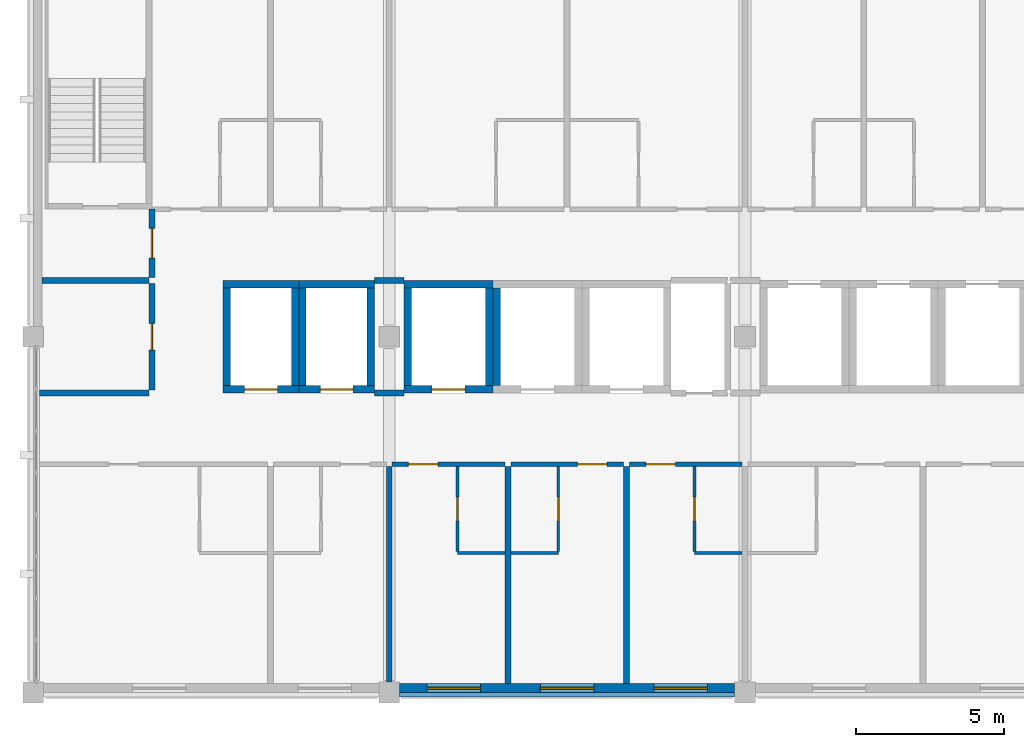
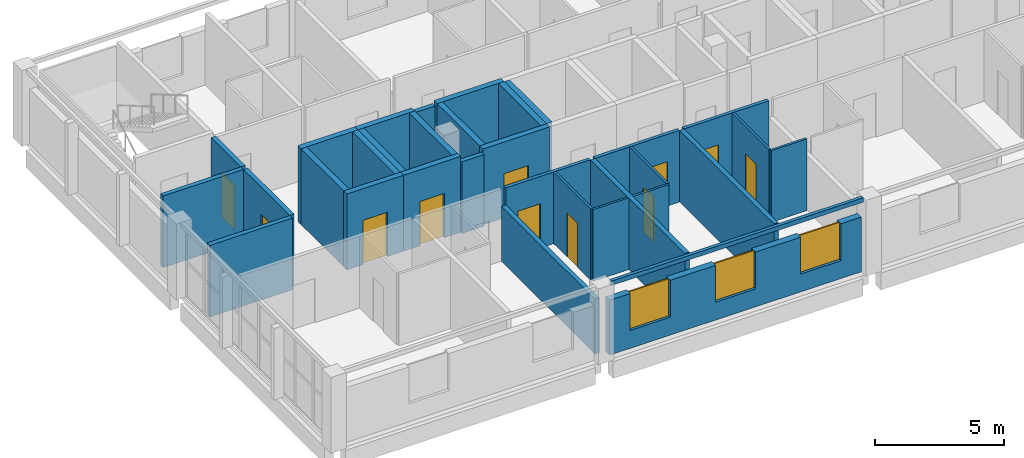
# One storey, part 6 of 11: 33 walls, 11 doors, 3 windows, 14 openings.
"""IFC4 building model written with IfcOpenShell, lengths in metres."""

from ifc_helpers import new_model, si_unit, direction, frame, frame_2d, origin, place, context, subcontext, project, spatial, rectangle, extrude, material, layer, layer_set, type_object, element, fill, save


model = new_model("IFC4")

# Units and contexts
model_context = context("Model", 3, precision=1e-05, world=origin(), true_north=direction((0.0, 1.0)))
body_context = subcontext(model_context, "Body", "Model", "MODEL_VIEW")
ifc_project = project(units=[si_unit("LENGTHUNIT", "METRE"), si_unit("AREAUNIT", "SQUARE_METRE"), si_unit("VOLUMEUNIT", "CUBIC_METRE"), si_unit("PLANEANGLEUNIT", "RADIAN"), si_unit("MASSUNIT", "GRAM", prefix="KILO")], contexts=[model_context])

# Site, building, storey
site_placement = place(None, origin())
site = spatial("IfcSite", under=ifc_project, at=site_placement, CompositionType="ELEMENT")
building_placement = place(site_placement, origin())
building = spatial("IfcBuilding", under=site, at=building_placement, Name="Lilac Gate Convention Centre", CompositionType="ELEMENT")
storey_placement = place(building_placement, frame((0.0, 0.0, 49.800048828125)))
storey = spatial("IfcBuildingStorey", under=building, at=storey_placement, Name="L12", CompositionType="ELEMENT", Elevation=49.800048828125)

# Wall, opening, door
ifc_material_1 = material(Name="Concrete C50", Category="concrete")
ifc_layer_1 = layer(ifc_material_1, 0.25)
ifc_layer_set_1 = layer_set([ifc_layer_1], Name="Concrete C50")
wall_type_1 = type_object("IfcWallType", Name="Core wall 250 C50", PredefinedType="SHEAR", material=ifc_layer_set_1)
wall_1_placement = place(storey_placement, frame((54.5, 232.22509765625, 0.0), z_axis=(0.0, 0.0, 1.0), x_axis=(1.0, 0.0, 0.0)))
wall_1 = element("IfcWall", 1, at=wall_1_placement, inside=storey, type_object=wall_type_1, Name="CRW4 core wall TC L12 1", PredefinedType="SHEAR", context=body_context, shape_type="SweptSolid", body=[
    extrude(rectangle(XDim=3.0, YDim=0.25, at=frame_2d((1.5, 0.0))), origin(), (0.0, 0.0, 1.0), 3.599853515625),
])
opening_1_placement = place(wall_1_placement, frame((0.949951171875, 0.0, 0.0)))
opening_1 = element("IfcOpeningElement", 2, at=opening_1_placement, cuts=wall_1, Name="Opening T10-042", PredefinedType="OPENING", context=body_context, shape_type="SweptSolid", body=[
    extrude(rectangle(XDim=1.10009765625, YDim=2.10009765625, at=frame_2d((0.550048828125, 1.050048828125))), frame((0.0, 0.135009765625, 0.0), z_axis=(0.0, -1.0, 0.0), x_axis=(1.0, 0.0, 0.0)), (0.0, 0.0, 1.0), 0.27001953125),
])
ifc_material_2 = material(Name="Stainless steel 304", Category="steel")
door_type_1 = type_object("IfcDoorType", Name="Lift landing door 1100", OperationType="SLIDING_TO_LEFT", PredefinedType="DOOR", material=ifc_material_2)
door_1_placement = place(opening_1_placement, origin())
door_1 = element("IfcDoor", 3, at=door_1_placement, inside=storey, type_object=door_type_1, Name="Lift landing door TP1 L12", OperationType="SLIDING_TO_LEFT", OverallHeight=2.10009765625, OverallWidth=1.10009765625, PredefinedType="DOOR", context=body_context, shape_type="SweptSolid", body=[
    extrude(rectangle(XDim=1.10009765625, YDim=2.10009765625, at=frame_2d((0.550048828125, 1.050048828125))), frame((0.0, 0.02490234375, 0.0), z_axis=(0.0, -1.0, 0.0), x_axis=(1.0, 0.0, 0.0)), (0.0, 0.0, 1.0), 0.050048828125),
])
fill(opening_1, door_1)

# Walls
wall_2_placement = place(storey_placement, frame((54.5, 235.77490234375, 0.0), z_axis=(0.0, 0.0, 1.0), x_axis=(1.0, 0.0, 0.0)))
element("IfcWall", 4, at=wall_2_placement, inside=storey, type_object=wall_type_1, Name="CRW4 core wall TC L12 2", PredefinedType="SHEAR", context=body_context, shape_type="SweptSolid", body=[
    extrude(rectangle(XDim=3.0, YDim=0.25, at=frame_2d((1.5, 0.0))), origin(), (0.0, 0.0, 1.0), 3.599853515625),
])
for number, where, z_axis, x_axis, name in (
    (5, (54.625, 232.35009765625, 0.0), (0.0, 0.0, 1.0), (0.0, 1.0, 0.0), "CRW4 core wall TC L12 3"),
    (6, (57.375, 232.35009765625, 0.0), (0.0, 0.0, 1.0), (0.0, 1.0, 0.0), "CRW4 core wall TC L12 4"),
    (7, (57.625, 232.35009765625, 0.0), (0.0, 0.0, 1.0), (0.0, 1.0, 0.0), "CRW4 core wall TC L12 7"),
):
    element("IfcWall", number, at=place(storey_placement, frame(where, z_axis=z_axis, x_axis=x_axis)), inside=storey, type_object=wall_type_1, Name=name, PredefinedType="SHEAR", context=body_context, shape_type="SweptSolid", body=[
        extrude(rectangle(XDim=3.2998046875, YDim=0.25, at=frame_2d((1.64990234375, 0.0))), origin(), (0.0, 0.0, 1.0), 3.599853515625),
    ])

# Wall, opening, door
wall_3_placement = place(storey_placement, frame((48.39990234375, 232.22509765625, 0.0), z_axis=(0.0, 0.0, 1.0), x_axis=(1.0, 0.0, 0.0)))
wall_3 = element("IfcWall", 8, at=wall_3_placement, inside=storey, type_object=wall_type_1, Name="CRW4 core wall TC L12 25", PredefinedType="SHEAR", context=body_context, shape_type="SweptSolid", body=[
    extrude(rectangle(XDim=2.550048828125, YDim=0.25, at=frame_2d((1.27490234375, 0.0))), origin(), (0.0, 0.0, 1.0), 3.599853515625),
])
opening_2_placement = place(wall_3_placement, frame((0.72509765625, 0.0, 0.0)))
opening_2 = element("IfcOpeningElement", 9, at=opening_2_placement, cuts=wall_3, Name="Opening T10-048", PredefinedType="OPENING", context=body_context, shape_type="SweptSolid", body=[
    extrude(rectangle(XDim=1.10009765625, YDim=2.10009765625, at=frame_2d((0.550048828125, 1.050048828125))), frame((0.0, 0.135009765625, 0.0), z_axis=(0.0, -1.0, 0.0), x_axis=(1.0, 0.0, 0.0)), (0.0, 0.0, 1.0), 0.27001953125),
])
door_2_placement = place(opening_2_placement, origin())
door_2 = element("IfcDoor", 10, at=door_2_placement, inside=storey, type_object=door_type_1, Name="Lift landing door TS1 L12", OperationType="SLIDING_TO_LEFT", OverallHeight=2.10009765625, OverallWidth=1.10009765625, PredefinedType="DOOR", context=body_context, shape_type="SweptSolid", body=[
    extrude(rectangle(XDim=1.10009765625, YDim=2.10009765625, at=frame_2d((0.550048828125, 1.050048828125))), frame((0.0, 0.02490234375, 0.0), z_axis=(0.0, -1.0, 0.0), x_axis=(1.0, 0.0, 0.0)), (0.0, 0.0, 1.0), 0.050048828125),
])
fill(opening_2, door_2)

# Walls
wall_4_placement = place(storey_placement, frame((48.39990234375, 235.77490234375, 0.0), z_axis=(0.0, 0.0, 1.0), x_axis=(1.0, 0.0, 0.0)))
element("IfcWall", 11, at=wall_4_placement, inside=storey, type_object=wall_type_1, Name="CRW4 core wall TC L12 26", PredefinedType="SHEAR", context=body_context, shape_type="SweptSolid", body=[
    extrude(rectangle(XDim=2.550048828125, YDim=0.25, at=frame_2d((1.27490234375, 0.0))), origin(), (0.0, 0.0, 1.0), 3.599853515625),
])
for number, where, z_axis, x_axis, name in (
    (12, (48.52490234375, 232.35009765625, 0.0), (0.0, 0.0, 1.0), (0.0, 1.0, 0.0), "CRW4 core wall TC L12 27"),
    (13, (50.824951171875, 232.35009765625, 0.0), (0.0, 0.0, 1.0), (0.0, 1.0, 0.0), "CRW4 core wall TC L12 28"),
):
    element("IfcWall", number, at=place(storey_placement, frame(where, z_axis=z_axis, x_axis=x_axis)), inside=storey, type_object=wall_type_1, Name=name, PredefinedType="SHEAR", context=body_context, shape_type="SweptSolid", body=[
        extrude(rectangle(XDim=3.2998046875, YDim=0.25, at=frame_2d((1.64990234375, 0.0))), origin(), (0.0, 0.0, 1.0), 3.599853515625),
    ])

# Wall, opening, door
wall_5_placement = place(storey_placement, frame((50.949951171875, 232.22509765625, 0.0), z_axis=(0.0, 0.0, 1.0), x_axis=(1.0, 0.0, 0.0)))
wall_5 = element("IfcWall", 14, at=wall_5_placement, inside=storey, type_object=wall_type_1, Name="CRW4 core wall TC L12 29", PredefinedType="SHEAR", context=body_context, shape_type="SweptSolid", body=[
    extrude(rectangle(XDim=2.550048828125, YDim=0.25, at=frame_2d((1.27490234375, 0.0))), origin(), (0.0, 0.0, 1.0), 3.599853515625),
])
opening_3_placement = place(wall_5_placement, frame((0.72509765625, 0.0, 0.0)))
opening_3 = element("IfcOpeningElement", 15, at=opening_3_placement, cuts=wall_5, Name="Opening T10-049", PredefinedType="OPENING", context=body_context, shape_type="SweptSolid", body=[
    extrude(rectangle(XDim=1.10009765625, YDim=2.10009765625, at=frame_2d((0.550048828125, 1.050048828125))), frame((0.0, 0.135009765625, 0.0), z_axis=(0.0, -1.0, 0.0), x_axis=(1.0, 0.0, 0.0)), (0.0, 0.0, 1.0), 0.27001953125),
])
door_3_placement = place(opening_3_placement, origin())
door_3 = element("IfcDoor", 16, at=door_3_placement, inside=storey, type_object=door_type_1, Name="Lift landing door TS2 L12", OperationType="SLIDING_TO_LEFT", OverallHeight=2.10009765625, OverallWidth=1.10009765625, PredefinedType="DOOR", context=body_context, shape_type="SweptSolid", body=[
    extrude(rectangle(XDim=1.10009765625, YDim=2.10009765625, at=frame_2d((0.550048828125, 1.050048828125))), frame((0.0, 0.02490234375, 0.0), z_axis=(0.0, -1.0, 0.0), x_axis=(1.0, 0.0, 0.0)), (0.0, 0.0, 1.0), 0.050048828125),
])
fill(opening_3, door_3)

# Walls
wall_6_placement = place(storey_placement, frame((50.949951171875, 235.77490234375, 0.0), z_axis=(0.0, 0.0, 1.0), x_axis=(1.0, 0.0, 0.0)))
element("IfcWall", 17, at=wall_6_placement, inside=storey, type_object=wall_type_1, Name="CRW4 core wall TC L12 30", PredefinedType="SHEAR", context=body_context, shape_type="SweptSolid", body=[
    extrude(rectangle(XDim=2.550048828125, YDim=0.25, at=frame_2d((1.27490234375, 0.0))), origin(), (0.0, 0.0, 1.0), 3.599853515625),
])
for number, where, z_axis, x_axis, name in (
    (18, (51.074951171875, 232.35009765625, 0.0), (0.0, 0.0, 1.0), (0.0, 1.0, 0.0), "CRW4 core wall TC L12 31"),
    (19, (53.375, 232.35009765625, 0.0), (0.0, 0.0, 1.0), (0.0, 1.0, 0.0), "CRW4 core wall TC L12 32"),
):
    element("IfcWall", number, at=place(storey_placement, frame(where, z_axis=z_axis, x_axis=x_axis)), inside=storey, type_object=wall_type_1, Name=name, PredefinedType="SHEAR", context=body_context, shape_type="SweptSolid", body=[
        extrude(rectangle(XDim=3.2998046875, YDim=0.25, at=frame_2d((1.64990234375, 0.0))), origin(), (0.0, 0.0, 1.0), 3.599853515625),
    ])

# Wall, opening, door
ifc_material_3 = material(Name="Gypsum board on steel stud", Category="steel")
ifc_layer_2 = layer(ifc_material_3, 0.14990234375)
ifc_layer_set_2 = layer_set([ifc_layer_2], Name="Gypsum board on steel stud")
wall_type_2 = type_object("IfcWallType", Name="Corridor wall 150", PredefinedType="PARTITIONING", material=ifc_layer_set_2)
wall_7_placement = place(storey_placement, frame((57.89990234375, 229.699951171875, 0.0), z_axis=(0.0, 0.0, 1.0), x_axis=(-1.0, 0.0, 0.0)))
wall_7 = element("IfcWall", 20, at=wall_7_placement, inside=storey, type_object=wall_type_2, Name="Corridor wall 150 front 1203", PredefinedType="PARTITIONING", context=body_context, shape_type="SweptSolid", body=[
    extrude(rectangle(XDim=3.7998046875, YDim=0.14990234375, at=frame_2d((1.89990234375, 0.0))), origin(), (0.0, 0.0, 1.0), 3.39990234375),
])
opening_4_placement = place(wall_7_placement, frame((2.25, 0.0, 0.0)))
opening_4 = element("IfcOpeningElement", 21, at=opening_4_placement, cuts=wall_7, Name="Opening T10-012", PredefinedType="OPENING", context=body_context, shape_type="SweptSolid", body=[
    extrude(rectangle(XDim=1.0, YDim=2.10009765625, at=frame_2d((0.5, 1.050048828125))), frame((0.0, 0.0849609375, 0.0), z_axis=(0.0, -1.0, 0.0), x_axis=(1.0, 0.0, 0.0)), (0.0, 0.0, 1.0), 0.169921875),
])
ifc_material_4 = material(Name="Timber", Category="wood")
door_type_2 = type_object("IfcDoorType", Name="Guest room entrance door 1000", OperationType="SINGLE_SWING_LEFT", PredefinedType="DOOR", material=ifc_material_4)
door_4_placement = place(opening_4_placement, origin())
door_4 = element("IfcDoor", 22, at=door_4_placement, inside=storey, type_object=door_type_2, Name="Guest room door 1203", OperationType="SINGLE_SWING_RIGHT", OverallHeight=2.10009765625, OverallWidth=1.0, PredefinedType="DOOR", context=body_context, shape_type="SweptSolid", body=[
    extrude(rectangle(XDim=1.0, YDim=2.10009765625, at=frame_2d((0.5, 1.050048828125))), frame((0.0, 0.02490234375, 0.0), z_axis=(0.0, -1.0, 0.0), x_axis=(1.0, 0.0, 0.0)), (0.0, 0.0, 1.0), 0.050048828125),
])
fill(opening_4, door_4)

wall_8_placement = place(storey_placement, frame((61.89990234375, 229.699951171875, 0.0), z_axis=(0.0, 0.0, 1.0), x_axis=(-1.0, 0.0, 0.0)))
wall_8 = element("IfcWall", 23, at=wall_8_placement, inside=storey, type_object=wall_type_2, Name="Corridor wall 150 front 1204", PredefinedType="PARTITIONING", context=body_context, shape_type="SweptSolid", body=[
    extrude(rectangle(XDim=3.7998046875, YDim=0.14990234375, at=frame_2d((1.89990234375, 0.0))), origin(), (0.0, 0.0, 1.0), 3.39990234375),
])
opening_5_placement = place(wall_8_placement, frame((0.550048828125, 0.0, 0.0)))
opening_5 = element("IfcOpeningElement", 24, at=opening_5_placement, cuts=wall_8, Name="Opening T10-014", PredefinedType="OPENING", context=body_context, shape_type="SweptSolid", body=[
    extrude(rectangle(XDim=1.0, YDim=2.10009765625, at=frame_2d((0.5, 1.050048828125))), frame((0.0, 0.0849609375, 0.0), z_axis=(0.0, -1.0, 0.0), x_axis=(1.0, 0.0, 0.0)), (0.0, 0.0, 1.0), 0.169921875),
])
door_5_placement = place(opening_5_placement, origin())
door_5 = element("IfcDoor", 25, at=door_5_placement, inside=storey, type_object=door_type_2, Name="Guest room door 1204", OperationType="SINGLE_SWING_LEFT", OverallHeight=2.10009765625, OverallWidth=1.0, PredefinedType="DOOR", context=body_context, shape_type="SweptSolid", body=[
    extrude(rectangle(XDim=1.0, YDim=2.10009765625, at=frame_2d((0.5, 1.050048828125))), frame((0.0, 0.02490234375, 0.0), z_axis=(0.0, -1.0, 0.0), x_axis=(1.0, 0.0, 0.0)), (0.0, 0.0, 1.0), 0.050048828125),
])
fill(opening_5, door_5)

wall_9_placement = place(storey_placement, frame((65.89990234375, 229.699951171875, 0.0), z_axis=(0.0, 0.0, 1.0), x_axis=(-1.0, 0.0, 0.0)))
wall_9 = element("IfcWall", 26, at=wall_9_placement, inside=storey, type_object=wall_type_2, Name="Corridor wall 150 front 1205", PredefinedType="PARTITIONING", context=body_context, shape_type="SweptSolid", body=[
    extrude(rectangle(XDim=3.7998046875, YDim=0.14990234375, at=frame_2d((1.89990234375, 0.0))), origin(), (0.0, 0.0, 1.0), 3.39990234375),
])
opening_6_placement = place(wall_9_placement, frame((2.25, 0.0, 0.0)))
opening_6 = element("IfcOpeningElement", 27, at=opening_6_placement, cuts=wall_9, Name="Opening T10-016", PredefinedType="OPENING", context=body_context, shape_type="SweptSolid", body=[
    extrude(rectangle(XDim=1.0, YDim=2.10009765625, at=frame_2d((0.5, 1.050048828125))), frame((0.0, 0.0849609375, 0.0), z_axis=(0.0, -1.0, 0.0), x_axis=(1.0, 0.0, 0.0)), (0.0, 0.0, 1.0), 0.169921875),
])
door_6_placement = place(opening_6_placement, origin())
door_6 = element("IfcDoor", 28, at=door_6_placement, inside=storey, type_object=door_type_2, Name="Guest room door 1205", OperationType="SINGLE_SWING_LEFT", OverallHeight=2.10009765625, OverallWidth=1.0, PredefinedType="DOOR", context=body_context, shape_type="SweptSolid", body=[
    extrude(rectangle(XDim=1.0, YDim=2.10009765625, at=frame_2d((0.5, 1.050048828125))), frame((0.0, 0.02490234375, 0.0), z_axis=(0.0, -1.0, 0.0), x_axis=(1.0, 0.0, 0.0)), (0.0, 0.0, 1.0), 0.050048828125),
])
fill(opening_6, door_6)

# Wall
ifc_layer_3 = layer(ifc_material_3, 0.10009765625)
ifc_layer_set_3 = layer_set([ifc_layer_3], Name="Gypsum board on steel stud")
wall_type_3 = type_object("IfcWallType", Name="En-suite wall 100", PredefinedType="PARTITIONING", material=ifc_layer_set_3)
wall_10_placement = place(storey_placement, frame((56.300048828125, 226.699951171875, 0.0), z_axis=(0.0, 0.0, 1.0), x_axis=(1.0, 0.0, 0.0)))
element("IfcWall", 29, at=wall_10_placement, inside=storey, type_object=wall_type_3, Name="En-suite wall 100 bath 1203", PredefinedType="PARTITIONING", context=body_context, shape_type="SweptSolid", body=[
    extrude(rectangle(XDim=1.599853515625, YDim=0.10009765625, at=frame_2d((0.7998046875, 0.0))), origin(), (0.0, 0.0, 1.0), 3.39990234375),
])

# Wall, opening, door
wall_11_placement = place(storey_placement, frame((56.300048828125, 226.75, 0.0), z_axis=(0.0, 0.0, 1.0), x_axis=(0.0, 1.0, 0.0)))
wall_11 = element("IfcWall", 30, at=wall_11_placement, inside=storey, type_object=wall_type_3, Name="En-suite wall 100 bath side 1203", PredefinedType="PARTITIONING", context=body_context, shape_type="SweptSolid", body=[
    extrude(rectangle(XDim=2.875, YDim=0.10009765625, at=frame_2d((1.4375, 0.0))), origin(), (0.0, 0.0, 1.0), 3.39990234375),
])
opening_7_placement = place(wall_11_placement, frame((1.03759765625, 0.0, 0.0)))
opening_7 = element("IfcOpeningElement", 31, at=opening_7_placement, cuts=wall_11, Name="Opening T10-013", PredefinedType="OPENING", context=body_context, shape_type="SweptSolid", body=[
    extrude(rectangle(XDim=0.800048828125, YDim=2.10009765625, at=frame_2d((0.39990234375, 1.050048828125))), frame((0.0, 0.06005859375, 0.0), z_axis=(0.0, -1.0, 0.0), x_axis=(1.0, 0.0, 0.0)), (0.0, 0.0, 1.0), 0.1201171875),
])
door_type_3 = type_object("IfcDoorType", Name="En-suite door 800", OperationType="SINGLE_SWING_LEFT", PredefinedType="DOOR", material=ifc_material_4)
door_7_placement = place(opening_7_placement, origin())
door_7 = element("IfcDoor", 32, at=door_7_placement, inside=storey, type_object=door_type_3, Name="En-suite door 1203", OperationType="SINGLE_SWING_RIGHT", OverallHeight=2.10009765625, OverallWidth=0.800048828125, PredefinedType="DOOR", context=body_context, shape_type="SweptSolid", body=[
    extrude(rectangle(XDim=0.800048828125, YDim=2.10009765625, at=frame_2d((0.39990234375, 1.050048828125))), frame((0.0, 0.02490234375, 0.0), z_axis=(0.0, -1.0, 0.0), x_axis=(1.0, 0.0, 0.0)), (0.0, 0.0, 1.0), 0.050048828125),
])
fill(opening_7, door_7)

# Wall
wall_12_placement = place(storey_placement, frame((58.10009765625, 226.699951171875, 0.0), z_axis=(0.0, 0.0, 1.0), x_axis=(1.0, 0.0, 0.0)))
element("IfcWall", 33, at=wall_12_placement, inside=storey, type_object=wall_type_3, Name="En-suite wall 100 bath 1204", PredefinedType="PARTITIONING", context=body_context, shape_type="SweptSolid", body=[
    extrude(rectangle(XDim=1.599853515625, YDim=0.10009765625, at=frame_2d((0.7998046875, 0.0))), origin(), (0.0, 0.0, 1.0), 3.39990234375),
])

# Wall, opening, door
wall_13_placement = place(storey_placement, frame((59.699951171875, 229.625, 0.0), z_axis=(0.0, 0.0, 1.0), x_axis=(0.0, -1.0, 0.0)))
wall_13 = element("IfcWall", 34, at=wall_13_placement, inside=storey, type_object=wall_type_3, Name="En-suite wall 100 bath side 1204", PredefinedType="PARTITIONING", context=body_context, shape_type="SweptSolid", body=[
    extrude(rectangle(XDim=2.875, YDim=0.10009765625, at=frame_2d((1.4375, 0.0))), origin(), (0.0, 0.0, 1.0), 3.39990234375),
])
opening_8_placement = place(wall_13_placement, frame((1.03759765625, 0.0, 0.0)))
opening_8 = element("IfcOpeningElement", 35, at=opening_8_placement, cuts=wall_13, Name="Opening T10-015", PredefinedType="OPENING", context=body_context, shape_type="SweptSolid", body=[
    extrude(rectangle(XDim=0.800048828125, YDim=2.10009765625, at=frame_2d((0.39990234375, 1.050048828125))), frame((0.0, 0.06005859375, 0.0), z_axis=(0.0, -1.0, 0.0), x_axis=(1.0, 0.0, 0.0)), (0.0, 0.0, 1.0), 0.1201171875),
])
door_8_placement = place(opening_8_placement, origin())
door_8 = element("IfcDoor", 36, at=door_8_placement, inside=storey, type_object=door_type_3, Name="En-suite door 1204", OperationType="SINGLE_SWING_LEFT", OverallHeight=2.10009765625, OverallWidth=0.800048828125, PredefinedType="DOOR", context=body_context, shape_type="SweptSolid", body=[
    extrude(rectangle(XDim=0.800048828125, YDim=2.10009765625, at=frame_2d((0.39990234375, 1.050048828125))), frame((0.0, 0.02490234375, 0.0), z_axis=(0.0, -1.0, 0.0), x_axis=(1.0, 0.0, 0.0)), (0.0, 0.0, 1.0), 0.050048828125),
])
fill(opening_8, door_8)

# Wall
wall_14_placement = place(storey_placement, frame((64.300048828125, 226.699951171875, 0.0), z_axis=(0.0, 0.0, 1.0), x_axis=(1.0, 0.0, 0.0)))
element("IfcWall", 37, at=wall_14_placement, inside=storey, type_object=wall_type_3, Name="En-suite wall 100 bath 1205", PredefinedType="PARTITIONING", context=body_context, shape_type="SweptSolid", body=[
    extrude(rectangle(XDim=1.599853515625, YDim=0.10009765625, at=frame_2d((0.7998046875, 0.0))), origin(), (0.0, 0.0, 1.0), 3.39990234375),
])

# Wall, opening, door
wall_15_placement = place(storey_placement, frame((64.300048828125, 226.75, 0.0), z_axis=(0.0, 0.0, 1.0), x_axis=(0.0, 1.0, 0.0)))
wall_15 = element("IfcWall", 38, at=wall_15_placement, inside=storey, type_object=wall_type_3, Name="En-suite wall 100 bath side 1205", PredefinedType="PARTITIONING", context=body_context, shape_type="SweptSolid", body=[
    extrude(rectangle(XDim=2.875, YDim=0.10009765625, at=frame_2d((1.4375, 0.0))), origin(), (0.0, 0.0, 1.0), 3.39990234375),
])
opening_9_placement = place(wall_15_placement, frame((1.03759765625, 0.0, 0.0)))
opening_9 = element("IfcOpeningElement", 39, at=opening_9_placement, cuts=wall_15, Name="Opening T10-017", PredefinedType="OPENING", context=body_context, shape_type="SweptSolid", body=[
    extrude(rectangle(XDim=0.800048828125, YDim=2.10009765625, at=frame_2d((0.39990234375, 1.050048828125))), frame((0.0, 0.06005859375, 0.0), z_axis=(0.0, -1.0, 0.0), x_axis=(1.0, 0.0, 0.0)), (0.0, 0.0, 1.0), 0.1201171875),
])
door_9_placement = place(opening_9_placement, origin())
door_9 = element("IfcDoor", 40, at=door_9_placement, inside=storey, type_object=door_type_3, Name="En-suite door 1205", OperationType="SINGLE_SWING_RIGHT", OverallHeight=2.10009765625, OverallWidth=0.800048828125, PredefinedType="DOOR", context=body_context, shape_type="SweptSolid", body=[
    extrude(rectangle(XDim=0.800048828125, YDim=2.10009765625, at=frame_2d((0.39990234375, 1.050048828125))), frame((0.0, 0.02490234375, 0.0), z_axis=(0.0, -1.0, 0.0), x_axis=(1.0, 0.0, 0.0)), (0.0, 0.0, 1.0), 0.050048828125),
])
fill(opening_9, door_9)

# Walls
ifc_layer_4 = layer(ifc_material_3, 0.199951171875)
ifc_layer_set_4 = layer_set([ifc_layer_4], Name="Gypsum board on steel stud")
wall_type_4 = type_object("IfcWallType", Name="Guest room party wall 200", PredefinedType="PARTITIONING", material=ifc_layer_set_4)
wall_16_placement = place(storey_placement, frame((54.0, 222.35009765625, 0.0), z_axis=(0.0, 0.0, 1.0), x_axis=(0.0, 1.0, 0.0)))
element("IfcWall", 41, at=wall_16_placement, inside=storey, type_object=wall_type_4, Name="Guest room party wall 200 party 54.0", PredefinedType="PARTITIONING", context=body_context, shape_type="SweptSolid", body=[
    extrude(rectangle(XDim=7.27490234375, YDim=0.199951171875, at=frame_2d((3.637451171875, 0.0))), origin(), (0.0, 0.0, 1.0), 2.599853515625),
])
for number, where, z_axis, x_axis, name in (
    (42, (58.0, 222.2998046875, 0.0), (0.0, 0.0, 1.0), (0.0, 1.0, 0.0), "Guest room party wall 200 party 58.0"),
    (43, (62.0, 222.2998046875, 0.0), (0.0, 0.0, 1.0), (0.0, 1.0, 0.0), "Guest room party wall 200 party 62.0"),
):
    element("IfcWall", number, at=place(storey_placement, frame(where, z_axis=z_axis, x_axis=x_axis)), inside=storey, type_object=wall_type_4, Name=name, PredefinedType="PARTITIONING", context=body_context, shape_type="SweptSolid", body=[
        extrude(rectangle(XDim=7.3251953125, YDim=0.199951171875, at=frame_2d((3.66259765625, 0.0))), origin(), (0.0, 0.0, 1.0), 3.39990234375),
    ])

# Wall, opening, door
ifc_layer_5 = layer(ifc_material_3, 0.199951171875)
ifc_layer_set_5 = layer_set([ifc_layer_5], Name="Gypsum board on steel stud")
wall_type_5 = type_object("IfcWallType", Name="Lobby wall 200", PredefinedType="PARTITIONING", material=ifc_layer_set_5)
wall_17_placement = place(storey_placement, frame((46.0, 236.0, 0.0), z_axis=(0.0, 0.0, 1.0), x_axis=(0.0, 1.0, 0.0)))
wall_17 = element("IfcWall", 44, at=wall_17_placement, inside=storey, type_object=wall_type_5, Name="Lobby wall 200 STL-NW-E", PredefinedType="PARTITIONING", context=body_context, shape_type="SweptSolid", body=[
    extrude(rectangle(XDim=2.300048828125, YDim=0.199951171875, at=frame_2d((1.14990234375, 0.0))), origin(), (0.0, 0.0, 1.0), 3.39990234375),
])
opening_10_placement = place(wall_17_placement, frame((0.64990234375, 0.0, 0.0)))
opening_10 = element("IfcOpeningElement", 45, at=opening_10_placement, cuts=wall_17, Name="Opening T10-006", PredefinedType="OPENING", context=body_context, shape_type="SweptSolid", body=[
    extrude(rectangle(XDim=1.0, YDim=2.10009765625, at=frame_2d((0.5, 1.050048828125))), frame((0.0, 0.10986328125, 0.0), z_axis=(0.0, -1.0, 0.0), x_axis=(1.0, 0.0, 0.0)), (0.0, 0.0, 1.0), 0.219970703125),
])
ifc_material_5 = material(Name="Steel Q235B", Category="steel")
door_type_4 = type_object("IfcDoorType", Name="Lobby door 1000", OperationType="SINGLE_SWING_LEFT", PredefinedType="DOOR", material=ifc_material_5)
door_10_placement = place(opening_10_placement, origin())
door_10 = element("IfcDoor", 46, at=door_10_placement, inside=storey, type_object=door_type_4, Name="Stair lobby door NW", OperationType="SINGLE_SWING_LEFT", OverallHeight=2.10009765625, OverallWidth=1.0, PredefinedType="DOOR", context=body_context, shape_type="SweptSolid", body=[
    extrude(rectangle(XDim=1.0, YDim=2.10009765625, at=frame_2d((0.5, 1.050048828125))), frame((0.0, 0.02490234375, 0.0), z_axis=(0.0, -1.0, 0.0), x_axis=(1.0, 0.0, 0.0)), (0.0, 0.0, 1.0), 0.050048828125),
])
fill(opening_10, door_10)

# Wall
ifc_material_6 = material(Name="Concrete C40 precast", Category="concrete")
ifc_layer_6 = layer(ifc_material_6, 0.1298828125)
ifc_material_7 = material(Name="Teal glazed cladding")
ifc_layer_7 = layer(ifc_material_7, 0.02001953125)
ifc_layer_set_6 = layer_set([ifc_layer_6, ifc_layer_7], Name="Concrete C40 precast, Teal glazed cladding")
wall_type_6 = type_object("IfcWallType", Name="Precast band teal 150", PredefinedType="STANDARD", material=ifc_layer_set_6)
wall_18_placement = place(storey_placement, frame((54.35009765625, 221.925048828125, 3.39990234375), z_axis=(0.0, 0.0, 1.0), x_axis=(1.0, 0.0, 0.0)))
element("IfcWall", 47, at=wall_18_placement, inside=storey, type_object=wall_type_6, Name="Precast band S L12 2", PredefinedType="STANDARD", context=body_context, shape_type="SweptSolid", body=[
    extrude(rectangle(XDim=11.2998046875, YDim=0.14990234375, at=frame_2d((5.64990234375, 0.0))), origin(), (0.0, 0.0, 1.0), 0.199951171875),
])

# Wall, openings, windows
ifc_material_8 = material(Name="Ochre mineral render")
ifc_layer_8 = layer(ifc_material_8, 0.02001953125)
ifc_layer_9 = layer(ifc_material_6, 0.06005859375)
ifc_material_9 = material(Name="Ventilated air cavity")
ifc_layer_10 = layer(ifc_material_9, 0.030029296875)
ifc_material_10 = material(Name="Mineral wool insulation")
ifc_layer_11 = layer(ifc_material_10, 0.1201171875)
ifc_material_11 = material(Name="Steel stud Q345 and gypsum lining", Category="steel")
ifc_layer_12 = layer(ifc_material_11, 0.070068359375)
ifc_layer_set_7 = layer_set([ifc_layer_8, ifc_layer_9, ifc_layer_10, ifc_layer_11, ifc_layer_12], Name="Ochre mineral render, Concrete C40 precast, Ventilated air cavity, Mineral wool insulation, Steel stud Q345 and gypsum lining")
wall_type_7 = type_object("IfcWallType", Name="Precast panel wall ochre 300", PredefinedType="STANDARD", material=ifc_layer_set_7)
wall_19_placement = place(storey_placement, frame((54.35009765625, 222.14990234375, 0.0), z_axis=(0.0, 0.0, 1.0), x_axis=(1.0, 0.0, 0.0)))
wall_19 = element("IfcWall", 48, at=wall_19_placement, inside=storey, type_object=wall_type_7, Name="External wall S L12 2", PredefinedType="STANDARD", context=body_context, shape_type="SweptSolid", body=[
    extrude(rectangle(XDim=11.2998046875, YDim=0.300048828125, at=frame_2d((5.64990234375, 0.0))), origin(), (0.0, 0.0, 1.0), 2.599853515625),
])
opening_11_placement = place(wall_19_placement, frame((0.925048828125, 0.0, 0.85009765625)))
opening_11 = element("IfcOpeningElement", 49, at=opening_11_placement, cuts=wall_19, Name="Opening W1", PredefinedType="OPENING", context=body_context, shape_type="SweptSolid", body=[
    extrude(rectangle(XDim=1.800048828125, YDim=1.75, at=frame_2d((0.89990234375, 0.875))), frame((0.0, 0.159912109375, 0.0), z_axis=(0.0, -1.0, 0.0), x_axis=(1.0, 0.0, 0.0)), (0.0, 0.0, 1.0), 0.320068359375),
])
opening_12_placement = place(wall_19_placement, frame((4.75, 0.0, 0.85009765625)))
opening_12 = element("IfcOpeningElement", 50, at=opening_12_placement, cuts=wall_19, Name="Opening W1", PredefinedType="OPENING", context=body_context, shape_type="SweptSolid", body=[
    extrude(rectangle(XDim=1.800048828125, YDim=1.75, at=frame_2d((0.89990234375, 0.875))), frame((0.0, 0.159912109375, 0.0), z_axis=(0.0, -1.0, 0.0), x_axis=(1.0, 0.0, 0.0)), (0.0, 0.0, 1.0), 0.320068359375),
])
opening_13_placement = place(wall_19_placement, frame((8.574951171875, 0.0, 0.85009765625)))
opening_13 = element("IfcOpeningElement", 51, at=opening_13_placement, cuts=wall_19, Name="Opening W1", PredefinedType="OPENING", context=body_context, shape_type="SweptSolid", body=[
    extrude(rectangle(XDim=1.800048828125, YDim=1.75, at=frame_2d((0.89990234375, 0.875))), frame((0.0, 0.159912109375, 0.0), z_axis=(0.0, -1.0, 0.0), x_axis=(1.0, 0.0, 0.0)), (0.0, 0.0, 1.0), 0.320068359375),
])
ifc_material_12 = material(Name="Aluminium framed double glazing", Category="aluminium")
window_type = type_object("IfcWindowType", Name="Guest room window 1800 x 1750", PartitioningType="DOUBLE_PANEL_VERTICAL", PredefinedType="WINDOW", material=ifc_material_12)
window_1_placement = place(opening_11_placement, origin())
window_1 = element("IfcWindow", 52, at=window_1_placement, inside=storey, type_object=window_type, Name="Window Guest S L12", OverallHeight=1.75, OverallWidth=1.800048828125, PartitioningType="SINGLE_PANEL", PredefinedType="WINDOW", context=body_context, shape_type="SweptSolid", body=[
    extrude(rectangle(XDim=1.800048828125, YDim=1.75, at=frame_2d((0.89990234375, 0.875))), frame((0.0, 0.030029296875, 0.0), z_axis=(0.0, -1.0, 0.0), x_axis=(1.0, 0.0, 0.0)), (0.0, 0.0, 1.0), 0.06005859375),
])
fill(opening_11, window_1)
window_2_placement = place(opening_12_placement, origin())
window_2 = element("IfcWindow", 53, at=window_2_placement, inside=storey, type_object=window_type, Name="Window Guest S L12", OverallHeight=1.75, OverallWidth=1.800048828125, PartitioningType="SINGLE_PANEL", PredefinedType="WINDOW", context=body_context, shape_type="SweptSolid", body=[
    extrude(rectangle(XDim=1.800048828125, YDim=1.75, at=frame_2d((0.89990234375, 0.875))), frame((0.0, 0.030029296875, 0.0), z_axis=(0.0, -1.0, 0.0), x_axis=(1.0, 0.0, 0.0)), (0.0, 0.0, 1.0), 0.06005859375),
])
fill(opening_12, window_2)
window_3_placement = place(opening_13_placement, origin())
window_3 = element("IfcWindow", 54, at=window_3_placement, inside=storey, type_object=window_type, Name="Window Guest S L12", OverallHeight=1.75, OverallWidth=1.800048828125, PartitioningType="SINGLE_PANEL", PredefinedType="WINDOW", context=body_context, shape_type="SweptSolid", body=[
    extrude(rectangle(XDim=1.800048828125, YDim=1.75, at=frame_2d((0.89990234375, 0.875))), frame((0.0, 0.030029296875, 0.0), z_axis=(0.0, -1.0, 0.0), x_axis=(1.0, 0.0, 0.0)), (0.0, 0.0, 1.0), 0.06005859375),
])
fill(opening_13, window_3)

# Walls
ifc_layer_13 = layer(ifc_material_3, 0.199951171875)
ifc_layer_set_8 = layer_set([ifc_layer_13], Name="Gypsum board on steel stud")
wall_type_8 = type_object("IfcWallType", Name="Riser and store wall 200", PredefinedType="PARTITIONING", material=ifc_layer_set_8)
wall_20_placement = place(storey_placement, frame((42.2001953125, 232.10009765625, 0.0), z_axis=(0.0, 0.0, 1.0), x_axis=(1.0, 0.0, 0.0)))
element("IfcWall", 55, at=wall_20_placement, inside=storey, type_object=wall_type_8, Name="Riser and store wall 200 HKW-S", PredefinedType="PARTITIONING", context=body_context, shape_type="SweptSolid", body=[
    extrude(rectangle(XDim=3.69970703125, YDim=0.199951171875, at=frame_2d((1.849853515625, 0.0))), origin(), (0.0, 0.0, 1.0), 3.39990234375),
])
wall_21_placement = place(storey_placement, frame((53.5, 232.10009765625, 0.0), z_axis=(0.0, 0.0, 1.0), x_axis=(1.0, 0.0, 0.0)))
element("IfcWall", 56, at=wall_21_placement, inside=storey, type_object=wall_type_8, Name="Riser and store wall 200 NICHE1-S", PredefinedType="PARTITIONING", context=body_context, shape_type="SweptSolid", body=[
    extrude(rectangle(XDim=1.0, YDim=0.199951171875, at=frame_2d((0.5, 0.0))), origin(), (0.0, 0.0, 1.0), 3.39990234375),
])
wall_22_placement = place(storey_placement, frame((42.2998046875, 235.89990234375, 0.0), z_axis=(0.0, 0.0, 1.0), x_axis=(1.0, 0.0, 0.0)))
element("IfcWall", 57, at=wall_22_placement, inside=storey, type_object=wall_type_8, Name="Riser and store wall 200 HKW-N", PredefinedType="PARTITIONING", context=body_context, shape_type="SweptSolid", body=[
    extrude(rectangle(XDim=3.60009765625, YDim=0.199951171875, at=frame_2d((1.800048828125, 0.0))), origin(), (0.0, 0.0, 1.0), 3.39990234375),
])
wall_23_placement = place(storey_placement, frame((53.5, 235.89990234375, 0.0), z_axis=(0.0, 0.0, 1.0), x_axis=(1.0, 0.0, 0.0)))
element("IfcWall", 58, at=wall_23_placement, inside=storey, type_object=wall_type_8, Name="Riser and store wall 200 NICHE1-N", PredefinedType="PARTITIONING", context=body_context, shape_type="SweptSolid", body=[
    extrude(rectangle(XDim=1.0, YDim=0.199951171875, at=frame_2d((0.5, 0.0))), origin(), (0.0, 0.0, 1.0), 3.39990234375),
])

# Wall, opening, door
wall_24_placement = place(storey_placement, frame((46.0, 232.199951171875, 0.0), z_axis=(0.0, 0.0, 1.0), x_axis=(0.0, 1.0, 0.0)))
wall_24 = element("IfcWall", 59, at=wall_24_placement, inside=storey, type_object=wall_type_8, Name="Riser and store wall 200 HKW-E", PredefinedType="PARTITIONING", context=body_context, shape_type="SweptSolid", body=[
    extrude(rectangle(XDim=3.60009765625, YDim=0.199951171875, at=frame_2d((1.800048828125, 0.0))), origin(), (0.0, 0.0, 1.0), 3.39990234375),
])
opening_14_placement = place(wall_24_placement, frame((1.35009765625, 0.0, 0.0)))
opening_14 = element("IfcOpeningElement", 60, at=opening_14_placement, cuts=wall_24, Name="Opening T10-001", PredefinedType="OPENING", context=body_context, shape_type="SweptSolid", body=[
    extrude(rectangle(XDim=0.89990234375, YDim=2.10009765625, at=frame_2d((0.449951171875, 1.050048828125))), frame((0.0, 0.10986328125, 0.0), z_axis=(0.0, -1.0, 0.0), x_axis=(1.0, 0.0, 0.0)), (0.0, 0.0, 1.0), 0.219970703125),
])
door_type_5 = type_object("IfcDoorType", Name="Riser and store door 900", OperationType="SINGLE_SWING_LEFT", PredefinedType="DOOR", material=ifc_material_5)
door_11_placement = place(opening_14_placement, origin())
door_11 = element("IfcDoor", 61, at=door_11_placement, inside=storey, type_object=door_type_5, Name="Housekeeping door", OperationType="SINGLE_SWING_LEFT", OverallHeight=2.10009765625, OverallWidth=0.89990234375, PredefinedType="DOOR", context=body_context, shape_type="SweptSolid", body=[
    extrude(rectangle(XDim=0.89990234375, YDim=2.10009765625, at=frame_2d((0.449951171875, 1.050048828125))), frame((0.0, 0.02490234375, 0.0), z_axis=(0.0, -1.0, 0.0), x_axis=(1.0, 0.0, 0.0)), (0.0, 0.0, 1.0), 0.050048828125),
])
fill(opening_14, door_11)

save(model, "model.ifc")
